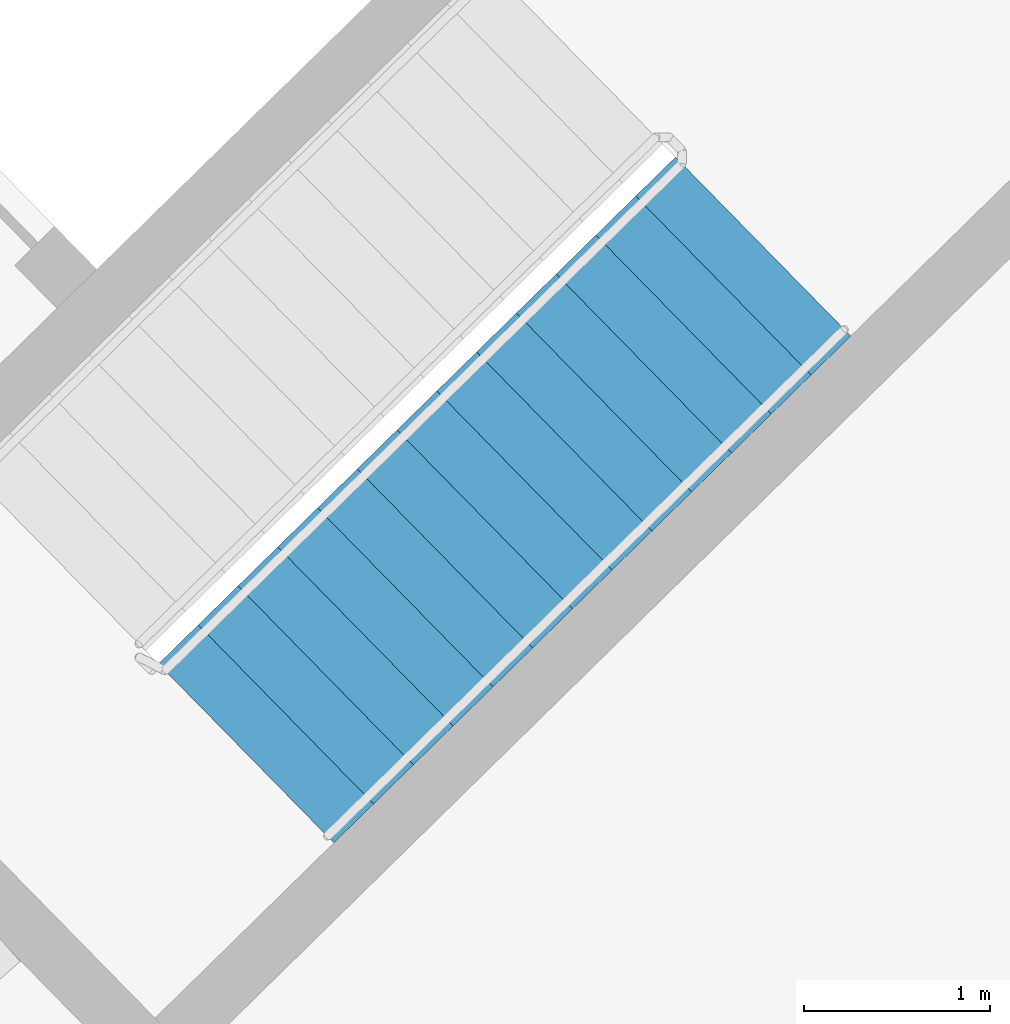
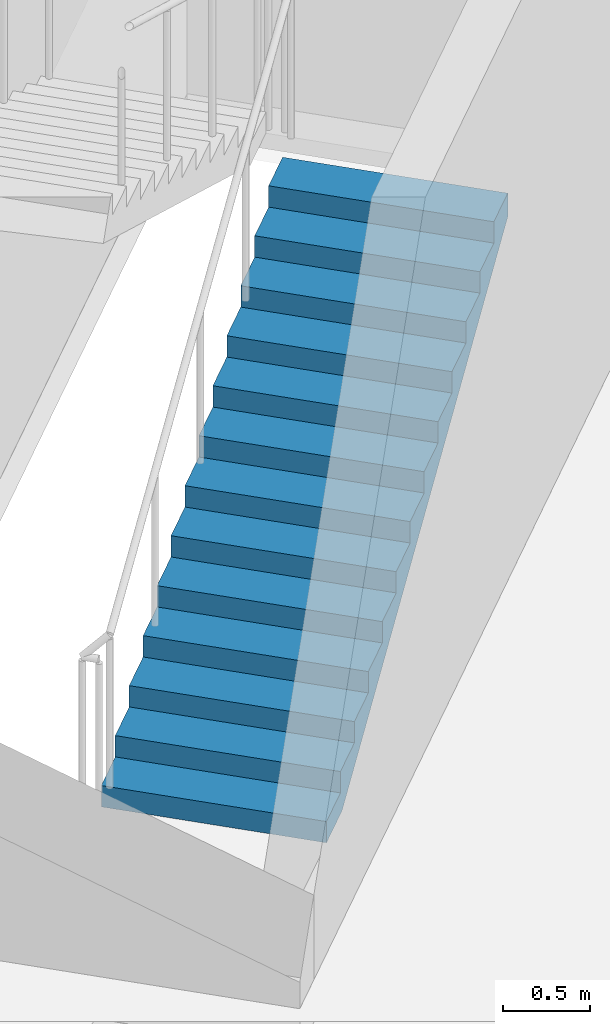
# One storey, part 10 of 15: 1 stair flight, 1 element without a shape of its own.
"""IFC4 building model written with IfcOpenShell, lengths in metres."""

from ifc_helpers import new_model, si_unit, direction, frame, origin, place, context, subcontext, project, spatial, polyline, outline, extrude, material, type_object, element, aggregate, save


model = new_model("IFC4")

# Units and contexts
model_context = context("Model", 3, precision=1e-05, world=origin(), true_north=direction((0.0, 1.0)))
body_context = subcontext(model_context, "Body", "Model", "MODEL_VIEW")
ifc_project = project(units=[si_unit("LENGTHUNIT", "METRE"), si_unit("AREAUNIT", "SQUARE_METRE"), si_unit("VOLUMEUNIT", "CUBIC_METRE"), si_unit("PLANEANGLEUNIT", "RADIAN"), si_unit("MASSUNIT", "GRAM", prefix="KILO")], contexts=[model_context])

# Site, building, storey
site_placement = place(None, origin())
site = spatial("IfcSite", under=ifc_project, at=site_placement, CompositionType="ELEMENT")
building_placement = place(site_placement, origin())
building = spatial("IfcBuilding", under=site, at=building_placement, Name="Tuul Gate Civic Tower", CompositionType="ELEMENT")
storey_placement = place(building_placement, frame((0.0, 0.0, 78.0)))
storey = spatial("IfcBuildingStorey", under=building, at=storey_placement, Name="Level 17", CompositionType="ELEMENT", Elevation=78.0)

# Stair, stair flight
ifc_material_1 = material(Name="Concrete C40/50", Category="concrete")
stair_type = type_object("IfcStairType", Name="Exit stair", PredefinedType="HALF_TURN_STAIR", material=ifc_material_1)
stair_placement = place(storey_placement, origin())
stair = element("IfcStair", 1, at=stair_placement, inside=storey, type_object=stair_type, Name="Level 17 ST-3", PredefinedType="HALF_TURN_STAIR")
ifc_material_2 = material(Name="Concrete C40/50", Category="concrete")
stair_flight_type = type_object("IfcStairFlightType", Name="Exit stair flight", PredefinedType="STRAIGHT", material=ifc_material_2)
stair_flight_placement = place(storey_placement, frame((48.61376953125, -16.581787109375, 0.0), z_axis=(0.0, 0.0, 1.0), x_axis=(0.714127290059, 0.700015866672, 0.0)))
stair_flight = element("IfcStairFlight", 2, at=stair_flight_placement, type_object=stair_flight_type, Name="ST-3 flight 1", NumberOfRisers=14, NumberOfTreads=13, PredefinedType="STRAIGHT", RiserHeight=0.15, TreadLength=0.3, context=body_context, shape_type="SweptSolid", body=[
    extrude(outline(polyline([(0.0, 0.0), (0.0, 0.14990234375), (0.300048828125, 0.14990234375), (0.300048828125, 0.300048828125), (0.60009765625, 0.300048828125), (0.60009765625, 0.449951171875), (0.89990234375, 0.449951171875), (0.89990234375, 0.60009765625), (1.199951171875, 0.60009765625), (1.199951171875, 0.75), (1.5, 0.75), (1.5, 0.89990234375), (1.800048828125, 0.89990234375), (1.800048828125, 1.050048828125), (2.10009765625, 1.050048828125), (2.10009765625, 1.199951171875), (2.39990234375, 1.199951171875), (2.39990234375, 1.35009765625), (2.699951171875, 1.35009765625), (2.699951171875, 1.5), (3.0, 1.5), (3.0, 1.64990234375), (3.300048828125, 1.64990234375), (3.300048828125, 1.800048828125), (3.60009765625, 1.800048828125), (3.60009765625, 1.949951171875), (3.89990234375, 1.949951171875), (3.89990234375, 2.10009765625), (3.89990234375, 1.782470703125), (0.335205078125, 0.0), (0.0, 0.0)])), frame((0.0, 0.675048828125, 0.0), z_axis=(0.0, -1.0, 0.0), x_axis=(1.0, 0.0, 0.0)), (0.0, 0.0, 1.0), 1.35009765625),
])
aggregate(stair, [stair_flight])

save(model, "model.ifc")
